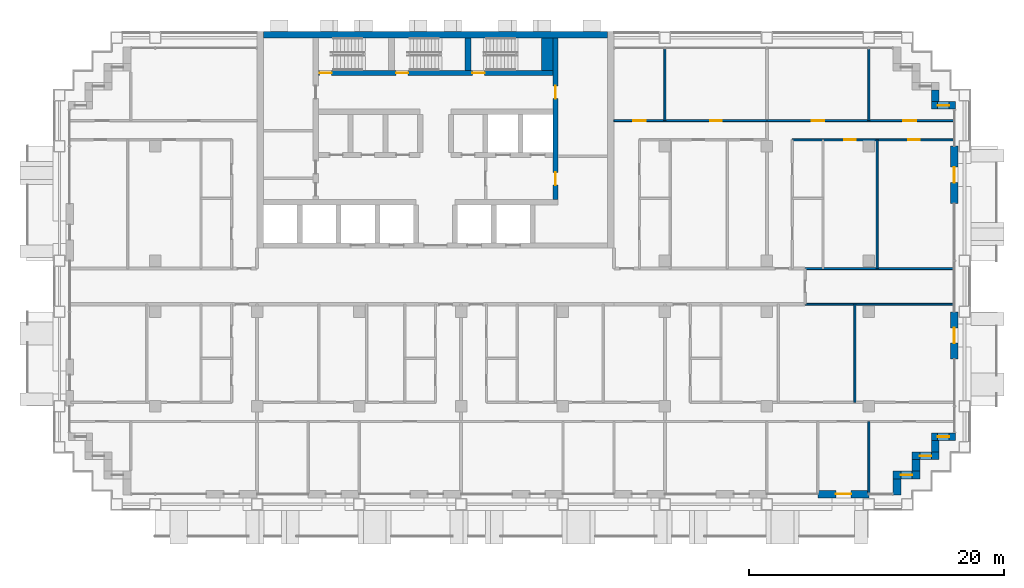
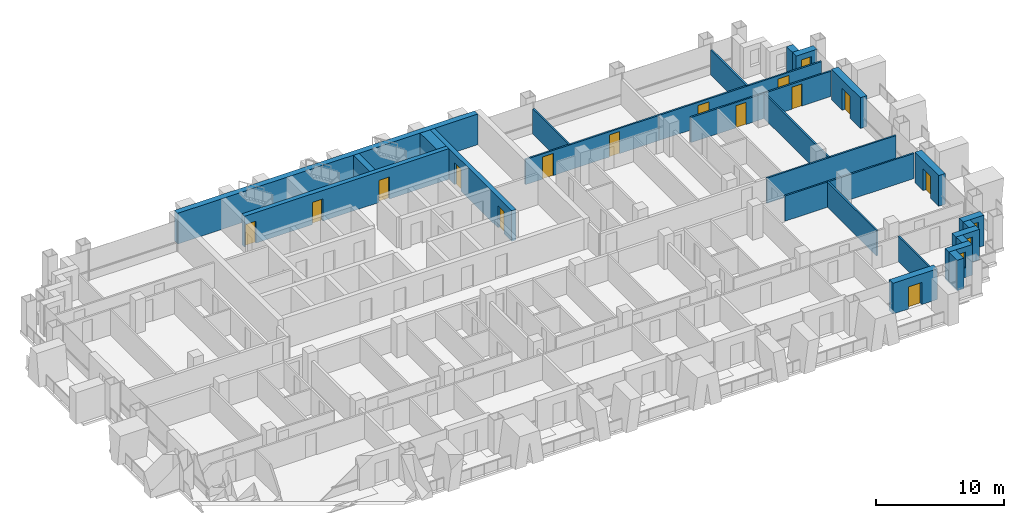
# One storey, part 13 of 17: 26 walls, 14 doors, 4 windows, 18 openings.
"""IFC4 building model written with IfcOpenShell, lengths in metres."""

from ifc_helpers import new_model, si_unit, direction, frame, frame_2d, origin, place, context, subcontext, project, spatial, rectangle, extrude, material, layer, layer_set, type_object, element, fill, save


model = new_model("IFC4")

# Units and contexts
model_context = context("Model", 3, precision=1e-05, world=origin(), true_north=direction((0.0, 1.0)))
body_context = subcontext(model_context, "Body", "Model", "MODEL_VIEW")
ifc_project = project(units=[si_unit("LENGTHUNIT", "METRE"), si_unit("AREAUNIT", "SQUARE_METRE"), si_unit("VOLUMEUNIT", "CUBIC_METRE"), si_unit("PLANEANGLEUNIT", "RADIAN"), si_unit("MASSUNIT", "GRAM", prefix="KILO")], contexts=[model_context])

# Site, building, storey
site_placement = place(None, origin())
site = spatial("IfcSite", under=ifc_project, at=site_placement, CompositionType="ELEMENT")
building_placement = place(site_placement, origin())
building = spatial("IfcBuilding", under=site, at=building_placement, Name="Vidyagriha Tower", CompositionType="ELEMENT")
storey_placement = place(building_placement, frame((0.0, 0.0, 87.10009765625)))
storey = spatial("IfcBuildingStorey", under=building, at=storey_placement, Name="L22", CompositionType="ELEMENT", Elevation=87.10009765625)

# Wall, opening, window
ifc_material_1 = material(Name="Precast concrete C40/50 with brick facing", Category="concrete")
ifc_layer_1 = layer(ifc_material_1, 0.60009765625)
ifc_layer_set_1 = layer_set([ifc_layer_1], Name="Precast concrete C40/50 with brick facing")
wall_type_1 = type_object("IfcWallType", Name="Brick-faced precast wall 600", PredefinedType="STANDARD", material=ifc_layer_set_1)
wall_1_placement = place(storey_placement, frame((40.780029296875, 14.199951171875, 0.0), z_axis=(0.0, 0.0, 1.0), x_axis=(-1.0, 0.0, 0.0)))
wall_1 = element("IfcWall", 1, at=wall_1_placement, inside=storey, type_object=wall_type_1, Name="Stepped corner wall L22 R01", PredefinedType="STANDARD", context=body_context, shape_type="SweptSolid", body=[
    extrude(rectangle(XDim=1.880126953125, YDim=0.60009765625, at=frame_2d((0.93994140625, 0.0))), origin(), (0.0, 0.0, 1.0), 2.919921875),
])
opening_1_placement = place(wall_1_placement, frame((0.489990234375, 0.0, 0.89990234375)))
opening_1 = element("IfcOpeningElement", 2, at=opening_1_placement, cuts=wall_1, Name="Opening WN1", PredefinedType="OPENING", context=body_context, shape_type="SweptSolid", body=[
    extrude(rectangle(XDim=0.89990234375, YDim=1.5, at=frame_2d((0.449951171875, 0.75))), frame((0.0, 0.31005859375, 0.0), z_axis=(0.0, -1.0, 0.0), x_axis=(1.0, 0.0, 0.0)), (0.0, 0.0, 1.0), 0.6201171875),
])
ifc_material_2 = material(Name="Aluminium and glass window", Category="aluminium")
window_type = type_object("IfcWindowType", Name="Reveal window 900x1500", PartitioningType="NOTDEFINED", PredefinedType="WINDOW", material=ifc_material_2)
window_1_placement = place(opening_1_placement, origin())
window_1 = element("IfcWindow", 3, at=window_1_placement, inside=storey, type_object=window_type, Name="Reveal window L22 R01", OverallHeight=1.5, OverallWidth=0.89990234375, PartitioningType="SINGLE_PANEL", PredefinedType="WINDOW", context=body_context, shape_type="SweptSolid", body=[
    extrude(rectangle(XDim=0.89990234375, YDim=1.5, at=frame_2d((0.449951171875, 0.75))), frame((0.0, 0.030029296875, 0.0), z_axis=(0.0, -1.0, 0.0), x_axis=(1.0, 0.0, 0.0)), (0.0, 0.0, 1.0), 0.06005859375),
])
fill(opening_1, window_1)

# Wall
wall_2_placement = place(storey_placement, frame((39.199951171875, 14.5, 0.0), z_axis=(0.0, 0.0, 1.0), x_axis=(0.0, 1.0, 0.0)))
element("IfcWall", 4, at=wall_2_placement, inside=storey, type_object=wall_type_1, Name="Stepped corner wall L22 R02", PredefinedType="STANDARD", context=body_context, shape_type="SweptSolid", body=[
    extrude(rectangle(XDim=0.89990234375, YDim=0.60009765625, at=frame_2d((0.449951171875, 0.0))), origin(), (0.0, 0.0, 1.0), 2.919921875),
])

# Wall, opening, door
wall_3_placement = place(storey_placement, frame((30.0, -16.300048828125, 0.0)))
wall_3 = element("IfcWall", 5, at=wall_3_placement, inside=storey, type_object=wall_type_1, Name="Brick door bay wall L22 R23.15", PredefinedType="STANDARD", context=body_context, shape_type="SweptSolid", body=[
    extrude(rectangle(XDim=4.0, YDim=0.60009765625, at=frame_2d((2.0, 0.0))), origin(), (0.0, 0.0, 1.0), 2.919921875),
])
opening_2_placement = place(wall_3_placement, frame((1.39990234375, 0.0, 0.0)))
opening_2 = element("IfcOpeningElement", 6, at=opening_2_placement, cuts=wall_3, Name="Opening D22-80", PredefinedType="OPENING", context=body_context, shape_type="SweptSolid", body=[
    extrude(rectangle(XDim=1.199951171875, YDim=2.10009765625, at=frame_2d((0.60009765625, 1.050048828125))), frame((0.0, 0.31005859375, 0.0), z_axis=(0.0, -1.0, 0.0), x_axis=(1.0, 0.0, 0.0)), (0.0, 0.0, 1.0), 0.6201171875),
])
ifc_material_3 = material(Name="Aluminium framed glazed sliding door", Category="aluminium")
door_type_1 = type_object("IfcDoorType", Name="Balcony sliding door 1200x2100", OperationType="NOTDEFINED", PredefinedType="DOOR", material=ifc_material_3)
door_1_placement = place(opening_2_placement, origin())
door_1 = element("IfcDoor", 7, at=door_1_placement, inside=storey, type_object=door_type_1, Name="Door D22-80", OperationType="SLIDING_TO_LEFT", OverallHeight=2.10009765625, OverallWidth=1.199951171875, PredefinedType="DOOR", context=body_context, shape_type="SweptSolid", body=[
    extrude(rectangle(XDim=1.199951171875, YDim=2.10009765625, at=frame_2d((0.60009765625, 1.050048828125))), frame((0.0, 0.02490234375, 0.0), z_axis=(0.0, -1.0, 0.0), x_axis=(1.0, 0.0, 0.0)), (0.0, 0.0, 1.0), 0.050048828125),
])
fill(opening_2, door_1)

# Wall
wall_4_placement = place(storey_placement, frame((36.199951171875, -16.3798828125, 0.0), z_axis=(0.0, 0.0, 1.0), x_axis=(0.0, 1.0, 0.0)))
element("IfcWall", 8, at=wall_4_placement, inside=storey, type_object=wall_type_1, Name="Stepped corner wall L22 R24", PredefinedType="STANDARD", context=body_context, shape_type="SweptSolid", body=[
    extrude(rectangle(XDim=1.27978515625, YDim=0.60009765625, at=frame_2d((0.639892578125, 0.0))), origin(), (0.0, 0.0, 1.0), 2.919921875),
])

# Wall, opening, window
wall_5_placement = place(storey_placement, frame((35.89990234375, -14.800048828125, 0.0)))
wall_5 = element("IfcWall", 9, at=wall_5_placement, inside=storey, type_object=wall_type_1, Name="Stepped corner wall L22 R25", PredefinedType="STANDARD", context=body_context, shape_type="SweptSolid", body=[
    extrude(rectangle(XDim=2.10009765625, YDim=0.60009765625, at=frame_2d((1.050048828125, 0.0))), origin(), (0.0, 0.0, 1.0), 2.919921875),
])
opening_3_placement = place(wall_5_placement, frame((0.60009765625, 0.0, 0.89990234375)))
opening_3 = element("IfcOpeningElement", 10, at=opening_3_placement, cuts=wall_5, Name="Opening WN1", PredefinedType="OPENING", context=body_context, shape_type="SweptSolid", body=[
    extrude(rectangle(XDim=0.89990234375, YDim=1.5, at=frame_2d((0.449951171875, 0.75))), frame((0.0, 0.31005859375, 0.0), z_axis=(0.0, -1.0, 0.0), x_axis=(1.0, 0.0, 0.0)), (0.0, 0.0, 1.0), 0.6201171875),
])
window_2_placement = place(opening_3_placement, origin())
window_2 = element("IfcWindow", 11, at=window_2_placement, inside=storey, type_object=window_type, Name="Reveal window L22 R25", OverallHeight=1.5, OverallWidth=0.89990234375, PartitioningType="SINGLE_PANEL", PredefinedType="WINDOW", context=body_context, shape_type="SweptSolid", body=[
    extrude(rectangle(XDim=0.89990234375, YDim=1.5, at=frame_2d((0.449951171875, 0.75))), frame((0.0, 0.030029296875, 0.0), z_axis=(0.0, -1.0, 0.0), x_axis=(1.0, 0.0, 0.0)), (0.0, 0.0, 1.0), 0.06005859375),
])
fill(opening_3, window_2)

# Wall
wall_6_placement = place(storey_placement, frame((37.699951171875, -14.5, 0.0), z_axis=(0.0, 0.0, 1.0), x_axis=(0.0, 1.0, 0.0)))
element("IfcWall", 12, at=wall_6_placement, inside=storey, type_object=wall_type_1, Name="Stepped corner wall L22 R26", PredefinedType="STANDARD", context=body_context, shape_type="SweptSolid", body=[
    extrude(rectangle(XDim=0.89990234375, YDim=0.60009765625, at=frame_2d((0.449951171875, 0.0))), origin(), (0.0, 0.0, 1.0), 2.919921875),
])

# Wall, opening, window
wall_7_placement = place(storey_placement, frame((37.39990234375, -13.300048828125, 0.0)))
wall_7 = element("IfcWall", 13, at=wall_7_placement, inside=storey, type_object=wall_type_1, Name="Stepped corner wall L22 R27", PredefinedType="STANDARD", context=body_context, shape_type="SweptSolid", body=[
    extrude(rectangle(XDim=2.10009765625, YDim=0.60009765625, at=frame_2d((1.050048828125, 0.0))), origin(), (0.0, 0.0, 1.0), 2.919921875),
])
opening_4_placement = place(wall_7_placement, frame((0.60009765625, 0.0, 0.89990234375)))
opening_4 = element("IfcOpeningElement", 14, at=opening_4_placement, cuts=wall_7, Name="Opening WN1", PredefinedType="OPENING", context=body_context, shape_type="SweptSolid", body=[
    extrude(rectangle(XDim=0.89990234375, YDim=1.5, at=frame_2d((0.449951171875, 0.75))), frame((0.0, 0.31005859375, 0.0), z_axis=(0.0, -1.0, 0.0), x_axis=(1.0, 0.0, 0.0)), (0.0, 0.0, 1.0), 0.6201171875),
])
window_3_placement = place(opening_4_placement, origin())
window_3 = element("IfcWindow", 15, at=window_3_placement, inside=storey, type_object=window_type, Name="Reveal window L22 R27", OverallHeight=1.5, OverallWidth=0.89990234375, PartitioningType="SINGLE_PANEL", PredefinedType="WINDOW", context=body_context, shape_type="SweptSolid", body=[
    extrude(rectangle(XDim=0.89990234375, YDim=1.5, at=frame_2d((0.449951171875, 0.75))), frame((0.0, 0.030029296875, 0.0), z_axis=(0.0, -1.0, 0.0), x_axis=(1.0, 0.0, 0.0)), (0.0, 0.0, 1.0), 0.06005859375),
])
fill(opening_4, window_3)

# Wall
wall_8_placement = place(storey_placement, frame((39.199951171875, -13.0, 0.0), z_axis=(0.0, 0.0, 1.0), x_axis=(0.0, 1.0, 0.0)))
element("IfcWall", 16, at=wall_8_placement, inside=storey, type_object=wall_type_1, Name="Stepped corner wall L22 R28", PredefinedType="STANDARD", context=body_context, shape_type="SweptSolid", body=[
    extrude(rectangle(XDim=0.89990234375, YDim=0.60009765625, at=frame_2d((0.449951171875, 0.0))), origin(), (0.0, 0.0, 1.0), 2.919921875),
])

# Wall, opening, window
wall_9_placement = place(storey_placement, frame((38.89990234375, -11.800048828125, 0.0)))
wall_9 = element("IfcWall", 17, at=wall_9_placement, inside=storey, type_object=wall_type_1, Name="Stepped corner wall L22 R29", PredefinedType="STANDARD", context=body_context, shape_type="SweptSolid", body=[
    extrude(rectangle(XDim=1.880126953125, YDim=0.60009765625, at=frame_2d((0.93994140625, 0.0))), origin(), (0.0, 0.0, 1.0), 2.919921875),
])
opening_5_placement = place(wall_9_placement, frame((0.489990234375, 0.0, 0.89990234375)))
opening_5 = element("IfcOpeningElement", 18, at=opening_5_placement, cuts=wall_9, Name="Opening WN1", PredefinedType="OPENING", context=body_context, shape_type="SweptSolid", body=[
    extrude(rectangle(XDim=0.89990234375, YDim=1.5, at=frame_2d((0.449951171875, 0.75))), frame((0.0, 0.31005859375, 0.0), z_axis=(0.0, -1.0, 0.0), x_axis=(1.0, 0.0, 0.0)), (0.0, 0.0, 1.0), 0.6201171875),
])
window_4_placement = place(opening_5_placement, origin())
window_4 = element("IfcWindow", 19, at=window_4_placement, inside=storey, type_object=window_type, Name="Reveal window L22 R29", OverallHeight=1.5, OverallWidth=0.89990234375, PartitioningType="SINGLE_PANEL", PredefinedType="WINDOW", context=body_context, shape_type="SweptSolid", body=[
    extrude(rectangle(XDim=0.89990234375, YDim=1.5, at=frame_2d((0.449951171875, 0.75))), frame((0.0, 0.030029296875, 0.0), z_axis=(0.0, -1.0, 0.0), x_axis=(1.0, 0.0, 0.0)), (0.0, 0.0, 1.0), 0.06005859375),
])
fill(opening_5, window_4)

# Wall, opening, door
wall_10_placement = place(storey_placement, frame((40.699951171875, -5.699951171875, 0.0), z_axis=(0.0, 0.0, 1.0), x_axis=(0.0, 1.0, 0.0)))
wall_10 = element("IfcWall", 20, at=wall_10_placement, inside=storey, type_object=wall_type_1, Name="Brick door bay wall L22 R30.3", PredefinedType="STANDARD", context=body_context, shape_type="SweptSolid", body=[
    extrude(rectangle(XDim=3.699951171875, YDim=0.60009765625, at=frame_2d((1.85009765625, 0.0))), origin(), (0.0, 0.0, 1.0), 2.919921875),
])
opening_6_placement = place(wall_10_placement, frame((1.25, 0.0, 0.0)))
opening_6 = element("IfcOpeningElement", 21, at=opening_6_placement, cuts=wall_10, Name="Opening D22-81", PredefinedType="OPENING", context=body_context, shape_type="SweptSolid", body=[
    extrude(rectangle(XDim=1.199951171875, YDim=2.10009765625, at=frame_2d((0.60009765625, 1.050048828125))), frame((0.0, 0.31005859375, 0.0), z_axis=(0.0, -1.0, 0.0), x_axis=(1.0, 0.0, 0.0)), (0.0, 0.0, 1.0), 0.6201171875),
])
door_2_placement = place(opening_6_placement, origin())
door_2 = element("IfcDoor", 22, at=door_2_placement, inside=storey, type_object=door_type_1, Name="Door D22-81", OperationType="SLIDING_TO_LEFT", OverallHeight=2.10009765625, OverallWidth=1.199951171875, PredefinedType="DOOR", context=body_context, shape_type="SweptSolid", body=[
    extrude(rectangle(XDim=1.199951171875, YDim=2.10009765625, at=frame_2d((0.60009765625, 1.050048828125))), frame((0.0, 0.02490234375, 0.0), z_axis=(0.0, -1.0, 0.0), x_axis=(1.0, 0.0, 0.0)), (0.0, 0.0, 1.0), 0.050048828125),
])
fill(opening_6, door_2)

wall_11_placement = place(storey_placement, frame((40.699951171875, 6.5, 0.0), z_axis=(0.0, 0.0, 1.0), x_axis=(0.0, 1.0, 0.0)))
wall_11 = element("IfcWall", 23, at=wall_11_placement, inside=storey, type_object=wall_type_1, Name="Brick door bay wall L22 R30.6", PredefinedType="STANDARD", context=body_context, shape_type="SweptSolid", body=[
    extrude(rectangle(XDim=4.5, YDim=0.60009765625, at=frame_2d((2.25, 0.0))), origin(), (0.0, 0.0, 1.0), 2.919921875),
])
opening_7_placement = place(wall_11_placement, frame((1.64990234375, 0.0, 0.0)))
opening_7 = element("IfcOpeningElement", 24, at=opening_7_placement, cuts=wall_11, Name="Opening D22-82", PredefinedType="OPENING", context=body_context, shape_type="SweptSolid", body=[
    extrude(rectangle(XDim=1.199951171875, YDim=2.10009765625, at=frame_2d((0.60009765625, 1.050048828125))), frame((0.0, 0.31005859375, 0.0), z_axis=(0.0, -1.0, 0.0), x_axis=(1.0, 0.0, 0.0)), (0.0, 0.0, 1.0), 0.6201171875),
])
door_3_placement = place(opening_7_placement, origin())
door_3 = element("IfcDoor", 25, at=door_3_placement, inside=storey, type_object=door_type_1, Name="Door D22-82", OperationType="SLIDING_TO_LEFT", OverallHeight=2.10009765625, OverallWidth=1.199951171875, PredefinedType="DOOR", context=body_context, shape_type="SweptSolid", body=[
    extrude(rectangle(XDim=1.199951171875, YDim=2.10009765625, at=frame_2d((0.60009765625, 1.050048828125))), frame((0.0, 0.02490234375, 0.0), z_axis=(0.0, -1.0, 0.0), x_axis=(1.0, 0.0, 0.0)), (0.0, 0.0, 1.0), 0.050048828125),
])
fill(opening_7, door_3)

# Wall, openings, doors
ifc_material_4 = material(Name="Concrete C60/75", Category="concrete")
ifc_layer_2 = layer(ifc_material_4, 0.39990234375)
ifc_layer_set_2 = layer_set([ifc_layer_2], Name="Concrete C60/75")
wall_type_2 = type_object("IfcWallType", Name="Core shear wall 400 mm", PredefinedType="SHEAR", material=ifc_layer_set_2)
wall_12_placement = place(storey_placement, frame((9.39990234375, 6.800048828125, 0.0), z_axis=(0.0, 0.0, 1.0), x_axis=(0.0, 1.0, 0.0)))
wall_12 = element("IfcWall", 26, at=wall_12_placement, inside=storey, type_object=wall_type_2, Name="Core east spine wall", PredefinedType="SHEAR", context=body_context, shape_type="SweptSolid", body=[
    extrude(rectangle(XDim=12.699951171875, YDim=0.39990234375, at=frame_2d((6.35009765625, 0.0))), origin(), (0.0, 0.0, 1.0), 2.919921875),
])
opening_8_placement = place(wall_12_placement, frame((1.14990234375, 0.0, 0.0)))
opening_8 = element("IfcOpeningElement", 27, at=opening_8_placement, cuts=wall_12, Name="Opening D22-13", PredefinedType="OPENING", context=body_context, shape_type="SweptSolid", body=[
    extrude(rectangle(XDim=1.0, YDim=2.10009765625, at=frame_2d((0.5, 1.050048828125))), frame((0.0, 0.2099609375, 0.0), z_axis=(0.0, -1.0, 0.0), x_axis=(1.0, 0.0, 0.0)), (0.0, 0.0, 1.0), 0.419921875),
])
opening_9_placement = place(wall_12_placement, frame((7.925048828125, 0.0, 0.0)))
opening_9 = element("IfcOpeningElement", 28, at=opening_9_placement, cuts=wall_12, Name="Opening D22-14", PredefinedType="OPENING", context=body_context, shape_type="SweptSolid", body=[
    extrude(rectangle(XDim=1.0, YDim=2.10009765625, at=frame_2d((0.5, 1.050048828125))), frame((0.0, 0.2099609375, 0.0), z_axis=(0.0, -1.0, 0.0), x_axis=(1.0, 0.0, 0.0)), (0.0, 0.0, 1.0), 0.419921875),
])
ifc_material_5 = material(Name="Hollow metal door leaf")
door_type_2 = type_object("IfcDoorType", Name="Core room door 1000 x 2100 mm EI 60", OperationType="NOTDEFINED", PredefinedType="DOOR", material=ifc_material_5)
door_4_placement = place(opening_8_placement, origin())
door_4 = element("IfcDoor", 29, at=door_4_placement, inside=storey, type_object=door_type_2, Name="Door Storage Room 22.E1", OperationType="SINGLE_SWING_RIGHT", OverallHeight=2.10009765625, OverallWidth=1.0, PredefinedType="DOOR", context=body_context, shape_type="SweptSolid", body=[
    extrude(rectangle(XDim=1.0, YDim=2.10009765625, at=frame_2d((0.5, 1.050048828125))), frame((0.0, 0.02490234375, 0.0), z_axis=(0.0, -1.0, 0.0), x_axis=(1.0, 0.0, 0.0)), (0.0, 0.0, 1.0), 0.050048828125),
])
fill(opening_8, door_4)
door_5_placement = place(opening_9_placement, origin())
door_5 = element("IfcDoor", 30, at=door_5_placement, inside=storey, type_object=door_type_2, Name="Door Cleaners Store 22.E2", OperationType="SINGLE_SWING_LEFT", OverallHeight=2.10009765625, OverallWidth=1.0, PredefinedType="DOOR", context=body_context, shape_type="SweptSolid", body=[
    extrude(rectangle(XDim=1.0, YDim=2.10009765625, at=frame_2d((0.5, 1.050048828125))), frame((0.0, 0.02490234375, 0.0), z_axis=(0.0, -1.0, 0.0), x_axis=(1.0, 0.0, 0.0)), (0.0, 0.0, 1.0), 0.050048828125),
])
fill(opening_9, door_5)

wall_13_placement = place(storey_placement, frame((-9.199951171875, 16.75, 0.0)))
wall_13 = element("IfcWall", 31, at=wall_13_placement, inside=storey, type_object=wall_type_2, Name="Stair front wall", PredefinedType="SHEAR", context=body_context, shape_type="SweptSolid", body=[
    extrude(rectangle(XDim=18.39990234375, YDim=0.39990234375, at=frame_2d((9.199951171875, 0.0))), origin(), (0.0, 0.0, 1.0), 2.919921875),
])
opening_10_placement = place(wall_13_placement, frame((0.10009765625, 0.0, 0.0)))
opening_10 = element("IfcOpeningElement", 32, at=opening_10_placement, cuts=wall_13, Name="Opening D22-07", PredefinedType="OPENING", context=body_context, shape_type="SweptSolid", body=[
    extrude(rectangle(XDim=0.949951171875, YDim=2.10009765625, at=frame_2d((0.47509765625, 1.050048828125))), frame((0.0, 0.2099609375, 0.0), z_axis=(0.0, -1.0, 0.0), x_axis=(1.0, 0.0, 0.0)), (0.0, 0.0, 1.0), 0.419921875),
])
opening_11_placement = place(wall_13_placement, frame((6.10009765625, 0.0, 0.0)))
opening_11 = element("IfcOpeningElement", 33, at=opening_11_placement, cuts=wall_13, Name="Opening D22-08", PredefinedType="OPENING", context=body_context, shape_type="SweptSolid", body=[
    extrude(rectangle(XDim=0.949951171875, YDim=2.10009765625, at=frame_2d((0.47509765625, 1.050048828125))), frame((0.0, 0.2099609375, 0.0), z_axis=(0.0, -1.0, 0.0), x_axis=(1.0, 0.0, 0.0)), (0.0, 0.0, 1.0), 0.419921875),
])
opening_12_placement = place(wall_13_placement, frame((12.10009765625, 0.0, 0.0)))
opening_12 = element("IfcOpeningElement", 34, at=opening_12_placement, cuts=wall_13, Name="Opening D22-09", PredefinedType="OPENING", context=body_context, shape_type="SweptSolid", body=[
    extrude(rectangle(XDim=0.949951171875, YDim=2.10009765625, at=frame_2d((0.47509765625, 1.050048828125))), frame((0.0, 0.2099609375, 0.0), z_axis=(0.0, -1.0, 0.0), x_axis=(1.0, 0.0, 0.0)), (0.0, 0.0, 1.0), 0.419921875),
])
ifc_material_6 = material(Name="Hollow metal door leaf")
door_type_3 = type_object("IfcDoorType", Name="Exit stair door 950 x 2100 mm EI 90", OperationType="NOTDEFINED", PredefinedType="DOOR", material=ifc_material_6)
door_6_placement = place(opening_10_placement, origin())
door_6 = element("IfcDoor", 35, at=door_6_placement, inside=storey, type_object=door_type_3, Name="Stair door ST1 L22", OperationType="SINGLE_SWING_LEFT", OverallHeight=2.10009765625, OverallWidth=0.949951171875, PredefinedType="DOOR", context=body_context, shape_type="SweptSolid", body=[
    extrude(rectangle(XDim=0.949951171875, YDim=2.10009765625, at=frame_2d((0.47509765625, 1.050048828125))), frame((0.0, 0.02490234375, 0.0), z_axis=(0.0, -1.0, 0.0), x_axis=(1.0, 0.0, 0.0)), (0.0, 0.0, 1.0), 0.050048828125),
])
fill(opening_10, door_6)
door_7_placement = place(opening_11_placement, origin())
door_7 = element("IfcDoor", 36, at=door_7_placement, inside=storey, type_object=door_type_3, Name="Stair door ST2 L22", OperationType="SINGLE_SWING_LEFT", OverallHeight=2.10009765625, OverallWidth=0.949951171875, PredefinedType="DOOR", context=body_context, shape_type="SweptSolid", body=[
    extrude(rectangle(XDim=0.949951171875, YDim=2.10009765625, at=frame_2d((0.47509765625, 1.050048828125))), frame((0.0, 0.02490234375, 0.0), z_axis=(0.0, -1.0, 0.0), x_axis=(1.0, 0.0, 0.0)), (0.0, 0.0, 1.0), 0.050048828125),
])
fill(opening_11, door_7)
door_8_placement = place(opening_12_placement, origin())
door_8 = element("IfcDoor", 37, at=door_8_placement, inside=storey, type_object=door_type_3, Name="Stair door ST3 L22", OperationType="SINGLE_SWING_LEFT", OverallHeight=2.10009765625, OverallWidth=0.949951171875, PredefinedType="DOOR", context=body_context, shape_type="SweptSolid", body=[
    extrude(rectangle(XDim=0.949951171875, YDim=2.10009765625, at=frame_2d((0.47509765625, 1.050048828125))), frame((0.0, 0.02490234375, 0.0), z_axis=(0.0, -1.0, 0.0), x_axis=(1.0, 0.0, 0.0)), (0.0, 0.0, 1.0), 0.050048828125),
])
fill(opening_12, door_8)

# Walls
ifc_material_7 = material(Name="Concrete C60/75", Category="concrete")
ifc_layer_3 = layer(ifc_material_7, 0.5)
ifc_layer_set_3 = layer_set([ifc_layer_3], Name="Concrete C60/75")
wall_type_3 = type_object("IfcWallType", Name="Core shear wall 500 mm", PredefinedType="SHEAR", material=ifc_layer_set_3)
wall_14_placement = place(storey_placement, frame((-13.5, 19.75, 0.0)))
element("IfcWall", 38, at=wall_14_placement, inside=storey, type_object=wall_type_3, Name="Core north wall", PredefinedType="SHEAR", context=body_context, shape_type="SweptSolid", body=[
    extrude(rectangle(XDim=27.0, YDim=0.5, at=frame_2d((13.5, 0.0))), origin(), (0.0, 0.0, 1.0), 2.919921875),
])
wall_15_placement = place(storey_placement, frame((2.550048828125, 16.949951171875, 0.0), z_axis=(0.0, 0.0, 1.0), x_axis=(0.0, 1.0, 0.0)))
element("IfcWall", 39, at=wall_15_placement, inside=storey, type_object=wall_type_3, Name="Stair partition wall 2", PredefinedType="SHEAR", context=body_context, shape_type="SweptSolid", body=[
    extrude(rectangle(XDim=2.550048828125, YDim=0.5, at=frame_2d((1.27490234375, 0.0))), origin(), (0.0, 0.0, 1.0), 2.919921875),
])
ifc_material_8 = material(Name="Concrete C60/75", Category="concrete")
ifc_layer_4 = layer(ifc_material_8, 0.89990234375)
ifc_layer_set_4 = layer_set([ifc_layer_4], Name="Concrete C60/75")
wall_type_4 = type_object("IfcWallType", Name="Core shear wall 900 mm", PredefinedType="SHEAR", material=ifc_layer_set_4)
wall_16_placement = place(storey_placement, frame((8.75, 16.949951171875, 0.0), z_axis=(0.0, 0.0, 1.0), x_axis=(0.0, 1.0, 0.0)))
element("IfcWall", 40, at=wall_16_placement, inside=storey, type_object=wall_type_4, Name="Stair end wall", PredefinedType="SHEAR", context=body_context, shape_type="SweptSolid", body=[
    extrude(rectangle(XDim=2.550048828125, YDim=0.89990234375, at=frame_2d((1.27490234375, 0.0))), origin(), (0.0, 0.0, 1.0), 2.919921875),
])
ifc_material_9 = material(Name="Gypsum board partition")
ifc_layer_5 = layer(ifc_material_9, 0.14990234375)
ifc_layer_set_5 = layer_set([ifc_layer_5], Name="Gypsum board partition")
wall_type_5 = type_object("IfcWallType", Name="Gypsum board partition 150", PredefinedType="PARTITIONING", material=ifc_layer_set_5)
wall_17_placement = place(storey_placement, frame((32.89990234375, -1.39990234375, 0.0), z_axis=(0.0, 0.0, 1.0), x_axis=(0.0, -1.0, 0.0)))
element("IfcWall", 41, at=wall_17_placement, inside=storey, type_object=wall_type_5, Name="Wall all-L22-w059", PredefinedType="PARTITIONING", context=body_context, shape_type="SweptSolid", body=[
    extrude(rectangle(XDim=7.7001953125, YDim=0.14990234375, at=frame_2d((3.85009765625, 0.0))), origin(), (0.0, 0.0, 1.0), 2.39990234375),
])
wall_18_placement = place(storey_placement, frame((34.0, -10.60009765625, 0.0), z_axis=(0.0, 0.0, 1.0), x_axis=(0.0, -1.0, 0.0)))
element("IfcWall", 42, at=wall_18_placement, inside=storey, type_object=wall_type_5, Name="Wall all-L22-w071", PredefinedType="PARTITIONING", context=body_context, shape_type="SweptSolid", body=[
    extrude(rectangle(XDim=5.60986328125, YDim=0.14990234375, at=frame_2d((2.804931640625, 0.0))), origin(), (0.0, 0.0, 1.0), 2.39990234375),
])
wall_19_placement = place(storey_placement, frame((40.6201171875, -1.39990234375, 0.0), z_axis=(0.0, 0.0, 1.0), x_axis=(-1.0, 0.0, 0.0)))
element("IfcWall", 43, at=wall_19_placement, inside=storey, type_object=wall_type_5, Name="Wall all-L22-w076", PredefinedType="PARTITIONING", context=body_context, shape_type="SweptSolid", body=[
    extrude(rectangle(XDim=11.6201171875, YDim=0.14990234375, at=frame_2d((5.81005859375, 0.0))), origin(), (0.0, 0.0, 1.0), 2.39990234375),
])

# Wall, openings, doors
wall_20_placement = place(storey_placement, frame((14.0, 13.0, 0.0)))
wall_20 = element("IfcWall", 44, at=wall_20_placement, inside=storey, type_object=wall_type_5, Name="Wall all-L22-w101", PredefinedType="PARTITIONING", context=body_context, shape_type="SweptSolid", body=[
    extrude(rectangle(XDim=12.0, YDim=0.14990234375, at=frame_2d((6.0, 0.0))), origin(), (0.0, 0.0, 1.0), 2.39990234375),
])
opening_13_placement = place(wall_20_placement, frame((1.5, 0.0, 0.0)))
opening_13 = element("IfcOpeningElement", 45, at=opening_13_placement, cuts=wall_20, Name="Opening D22-61", PredefinedType="OPENING", context=body_context, shape_type="SweptSolid", body=[
    extrude(rectangle(XDim=1.0, YDim=2.10009765625, at=frame_2d((0.5, 1.050048828125))), frame((0.0, 0.0849609375, 0.0), z_axis=(0.0, -1.0, 0.0), x_axis=(1.0, 0.0, 0.0)), (0.0, 0.0, 1.0), 0.169921875),
])
opening_14_placement = place(wall_20_placement, frame((7.550048828125, 0.0, 0.0)))
opening_14 = element("IfcOpeningElement", 46, at=opening_14_placement, cuts=wall_20, Name="Opening D22-62", PredefinedType="OPENING", context=body_context, shape_type="SweptSolid", body=[
    extrude(rectangle(XDim=0.89990234375, YDim=2.10009765625, at=frame_2d((0.449951171875, 1.050048828125))), frame((0.0, 0.0849609375, 0.0), z_axis=(0.0, -1.0, 0.0), x_axis=(1.0, 0.0, 0.0)), (0.0, 0.0, 1.0), 0.169921875),
])
ifc_material_10 = material(Name="Timber door leaf", Category="wood")
door_type_4 = type_object("IfcDoorType", Name="Room door 1000x2100", OperationType="NOTDEFINED", PredefinedType="DOOR", material=ifc_material_10)
door_9_placement = place(opening_13_placement, origin())
door_9 = element("IfcDoor", 47, at=door_9_placement, inside=storey, type_object=door_type_4, Name="Door D22-61", OperationType="SINGLE_SWING_RIGHT", OverallHeight=2.10009765625, OverallWidth=1.0, PredefinedType="DOOR", context=body_context, shape_type="SweptSolid", body=[
    extrude(rectangle(XDim=1.0, YDim=2.10009765625, at=frame_2d((0.5, 1.050048828125))), frame((0.0, 0.02490234375, 0.0), z_axis=(0.0, -1.0, 0.0), x_axis=(1.0, 0.0, 0.0)), (0.0, 0.0, 1.0), 0.050048828125),
])
fill(opening_13, door_9)
ifc_material_11 = material(Name="Timber door leaf", Category="wood")
door_type_5 = type_object("IfcDoorType", Name="Room door 900x2100", OperationType="NOTDEFINED", PredefinedType="DOOR", material=ifc_material_11)
door_10_placement = place(opening_14_placement, origin())
door_10 = element("IfcDoor", 48, at=door_10_placement, inside=storey, type_object=door_type_5, Name="Door D22-62", OperationType="SINGLE_SWING_RIGHT", OverallHeight=2.10009765625, OverallWidth=0.89990234375, PredefinedType="DOOR", context=body_context, shape_type="SweptSolid", body=[
    extrude(rectangle(XDim=0.89990234375, YDim=2.10009765625, at=frame_2d((0.449951171875, 1.050048828125))), frame((0.0, 0.02490234375, 0.0), z_axis=(0.0, -1.0, 0.0), x_axis=(1.0, 0.0, 0.0)), (0.0, 0.0, 1.0), 0.050048828125),
])
fill(opening_14, door_10)

# Walls
wall_21_placement = place(storey_placement, frame((18.0, 18.62109375, 0.0), z_axis=(0.0, 0.0, 1.0), x_axis=(0.0, -1.0, 0.0)))
element("IfcWall", 49, at=wall_21_placement, inside=storey, type_object=wall_type_5, Name="Wall all-L22-w104", PredefinedType="PARTITIONING", context=body_context, shape_type="SweptSolid", body=[
    extrude(rectangle(XDim=5.62109375, YDim=0.14990234375, at=frame_2d((2.810546875, 0.0))), origin(), (0.0, 0.0, 1.0), 2.39990234375),
])
wall_22_placement = place(storey_placement, frame((34.64990234375, 11.5, 0.0), z_axis=(0.0, 0.0, 1.0), x_axis=(0.0, -1.0, 0.0)))
element("IfcWall", 50, at=wall_22_placement, inside=storey, type_object=wall_type_5, Name="Wall all-L22-w111", PredefinedType="PARTITIONING", context=body_context, shape_type="SweptSolid", body=[
    extrude(rectangle(XDim=10.10009765625, YDim=0.14990234375, at=frame_2d((5.050048828125, 0.0))), origin(), (0.0, 0.0, 1.0), 2.39990234375),
])

# Wall, openings, doors
wall_23_placement = place(storey_placement, frame((40.6201171875, 11.5, 0.0), z_axis=(0.0, 0.0, 1.0), x_axis=(-1.0, 0.0, 0.0)))
wall_23 = element("IfcWall", 51, at=wall_23_placement, inside=storey, type_object=wall_type_5, Name="Wall all-L22-w112", PredefinedType="PARTITIONING", context=body_context, shape_type="SweptSolid", body=[
    extrude(rectangle(XDim=12.6201171875, YDim=0.14990234375, at=frame_2d((6.31005859375, 0.0))), origin(), (0.0, 0.0, 1.0), 2.39990234375),
])
opening_15_placement = place(wall_23_placement, frame((7.64501953125, 0.0, 0.0)))
opening_15 = element("IfcOpeningElement", 52, at=opening_15_placement, cuts=wall_23, Name="Opening D22-66", PredefinedType="OPENING", context=body_context, shape_type="SweptSolid", body=[
    extrude(rectangle(XDim=0.89990234375, YDim=2.10009765625, at=frame_2d((0.449951171875, 1.050048828125))), frame((0.0, 0.0849609375, 0.0), z_axis=(0.0, -1.0, 0.0), x_axis=(1.0, 0.0, 0.0)), (0.0, 0.0, 1.0), 0.169921875),
])
opening_16_placement = place(wall_23_placement, frame((2.64501953125, 0.0, 0.0)))
opening_16 = element("IfcOpeningElement", 53, at=opening_16_placement, cuts=wall_23, Name="Opening D22-67", PredefinedType="OPENING", context=body_context, shape_type="SweptSolid", body=[
    extrude(rectangle(XDim=0.89990234375, YDim=2.10009765625, at=frame_2d((0.449951171875, 1.050048828125))), frame((0.0, 0.0849609375, 0.0), z_axis=(0.0, -1.0, 0.0), x_axis=(1.0, 0.0, 0.0)), (0.0, 0.0, 1.0), 0.169921875),
])
door_11_placement = place(opening_15_placement, origin())
door_11 = element("IfcDoor", 54, at=door_11_placement, inside=storey, type_object=door_type_5, Name="Door D22-66", OperationType="SINGLE_SWING_RIGHT", OverallHeight=2.10009765625, OverallWidth=0.89990234375, PredefinedType="DOOR", context=body_context, shape_type="SweptSolid", body=[
    extrude(rectangle(XDim=0.89990234375, YDim=2.10009765625, at=frame_2d((0.449951171875, 1.050048828125))), frame((0.0, 0.02490234375, 0.0), z_axis=(0.0, -1.0, 0.0), x_axis=(1.0, 0.0, 0.0)), (0.0, 0.0, 1.0), 0.050048828125),
])
fill(opening_15, door_11)
door_12_placement = place(opening_16_placement, origin())
door_12 = element("IfcDoor", 55, at=door_12_placement, inside=storey, type_object=door_type_5, Name="Door D22-67", OperationType="SINGLE_SWING_RIGHT", OverallHeight=2.10009765625, OverallWidth=0.89990234375, PredefinedType="DOOR", context=body_context, shape_type="SweptSolid", body=[
    extrude(rectangle(XDim=0.89990234375, YDim=2.10009765625, at=frame_2d((0.449951171875, 1.050048828125))), frame((0.0, 0.02490234375, 0.0), z_axis=(0.0, -1.0, 0.0), x_axis=(1.0, 0.0, 0.0)), (0.0, 0.0, 1.0), 0.050048828125),
])
fill(opening_16, door_12)

wall_24_placement = place(storey_placement, frame((26.0, 13.0, 0.0)))
wall_24 = element("IfcWall", 56, at=wall_24_placement, inside=storey, type_object=wall_type_5, Name="Wall all-L22-w115", PredefinedType="PARTITIONING", context=body_context, shape_type="SweptSolid", body=[
    extrude(rectangle(XDim=14.6201171875, YDim=0.14990234375, at=frame_2d((7.31005859375, 0.0))), origin(), (0.0, 0.0, 1.0), 2.39990234375),
])
opening_17_placement = place(wall_24_placement, frame((3.5, 0.0, 0.0)))
opening_17 = element("IfcOpeningElement", 57, at=opening_17_placement, cuts=wall_24, Name="Opening D22-68", PredefinedType="OPENING", context=body_context, shape_type="SweptSolid", body=[
    extrude(rectangle(XDim=1.0, YDim=2.10009765625, at=frame_2d((0.5, 1.050048828125))), frame((0.0, 0.0849609375, 0.0), z_axis=(0.0, -1.0, 0.0), x_axis=(1.0, 0.0, 0.0)), (0.0, 0.0, 1.0), 0.169921875),
])
opening_18_placement = place(wall_24_placement, frame((10.699951171875, 0.0, 0.0)))
opening_18 = element("IfcOpeningElement", 58, at=opening_18_placement, cuts=wall_24, Name="Opening D22-69", PredefinedType="OPENING", context=body_context, shape_type="SweptSolid", body=[
    extrude(rectangle(XDim=1.0, YDim=2.10009765625, at=frame_2d((0.5, 1.050048828125))), frame((0.0, 0.0849609375, 0.0), z_axis=(0.0, -1.0, 0.0), x_axis=(1.0, 0.0, 0.0)), (0.0, 0.0, 1.0), 0.169921875),
])
door_13_placement = place(opening_17_placement, origin())
door_13 = element("IfcDoor", 59, at=door_13_placement, inside=storey, type_object=door_type_4, Name="Door D22-68", OperationType="SINGLE_SWING_RIGHT", OverallHeight=2.10009765625, OverallWidth=1.0, PredefinedType="DOOR", context=body_context, shape_type="SweptSolid", body=[
    extrude(rectangle(XDim=1.0, YDim=2.10009765625, at=frame_2d((0.5, 1.050048828125))), frame((0.0, 0.02490234375, 0.0), z_axis=(0.0, -1.0, 0.0), x_axis=(1.0, 0.0, 0.0)), (0.0, 0.0, 1.0), 0.050048828125),
])
fill(opening_17, door_13)
door_14_placement = place(opening_18_placement, origin())
door_14 = element("IfcDoor", 60, at=door_14_placement, inside=storey, type_object=door_type_4, Name="Door D22-69", OperationType="SINGLE_SWING_RIGHT", OverallHeight=2.10009765625, OverallWidth=1.0, PredefinedType="DOOR", context=body_context, shape_type="SweptSolid", body=[
    extrude(rectangle(XDim=1.0, YDim=2.10009765625, at=frame_2d((0.5, 1.050048828125))), frame((0.0, 0.02490234375, 0.0), z_axis=(0.0, -1.0, 0.0), x_axis=(1.0, 0.0, 0.0)), (0.0, 0.0, 1.0), 0.050048828125),
])
fill(opening_18, door_14)

# Walls
wall_25_placement = place(storey_placement, frame((34.0, 18.62109375, 0.0), z_axis=(0.0, 0.0, 1.0), x_axis=(0.0, -1.0, 0.0)))
element("IfcWall", 61, at=wall_25_placement, inside=storey, type_object=wall_type_5, Name="Wall all-L22-w118", PredefinedType="PARTITIONING", context=body_context, shape_type="SweptSolid", body=[
    extrude(rectangle(XDim=5.62109375, YDim=0.14990234375, at=frame_2d((2.810546875, 0.0))), origin(), (0.0, 0.0, 1.0), 2.39990234375),
])
wall_26_placement = place(storey_placement, frame((29.0, 1.39990234375, 0.0)))
element("IfcWall", 62, at=wall_26_placement, inside=storey, type_object=wall_type_5, Name="Wall all-L22-w122", PredefinedType="PARTITIONING", context=body_context, shape_type="SweptSolid", body=[
    extrude(rectangle(XDim=11.6201171875, YDim=0.14990234375, at=frame_2d((5.81005859375, 0.0))), origin(), (0.0, 0.0, 1.0), 2.39990234375),
])

save(model, "model.ifc")
